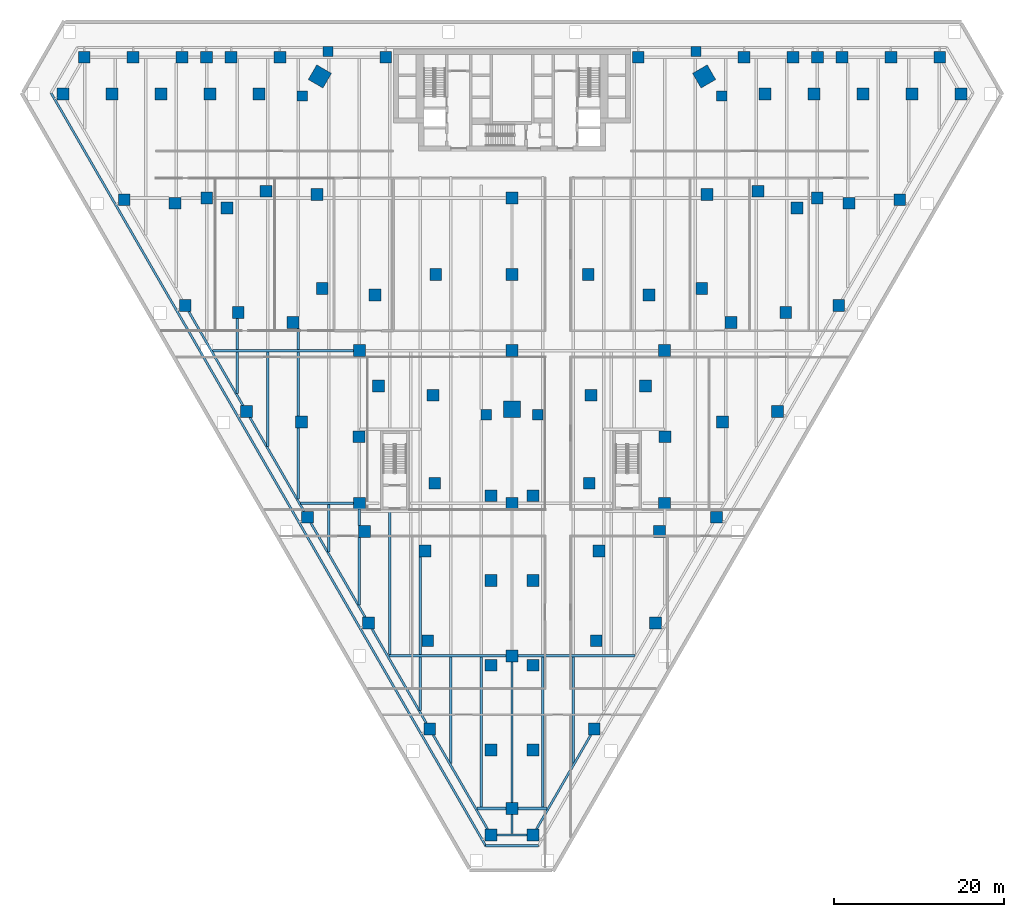
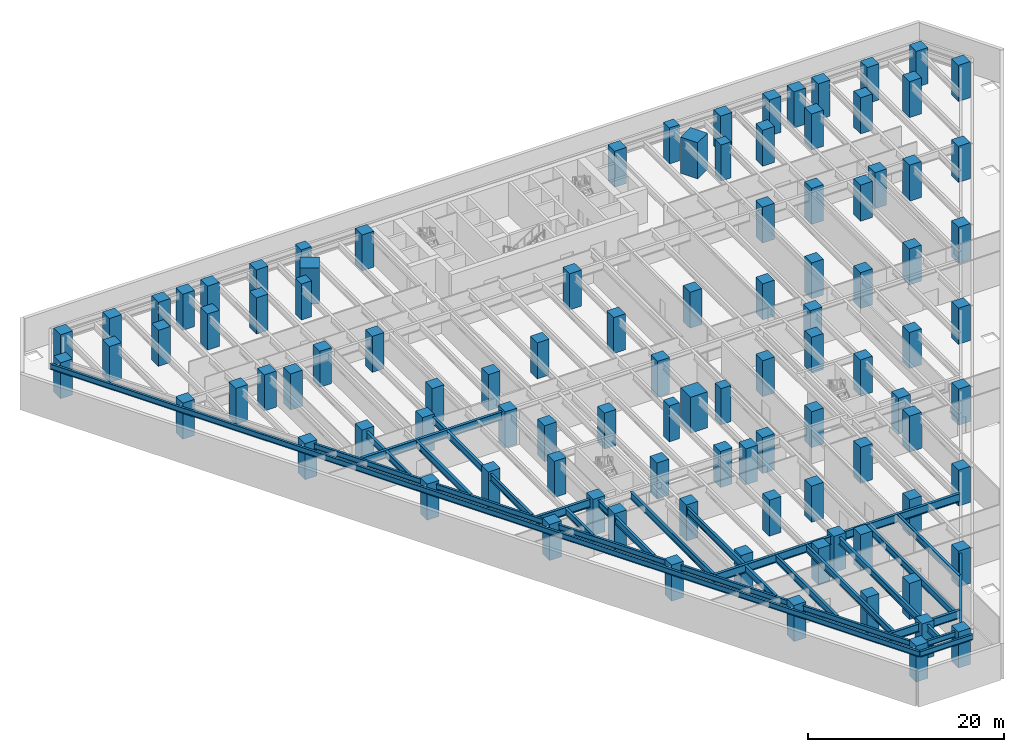
# One storey, part 1 of 20: 101 columns, 33 beams.
"""IFC4 building model written with IfcOpenShell, lengths in metres."""

from ifc_helpers import new_model, si_unit, direction, frame, origin, origin_2d, place, context, subcontext, project, spatial, rectangle, i_section, extrude, material, material_profile, profile_set, type_object, element, save


model = new_model("IFC4")

# Units and contexts
model_context = context("Model", 3, precision=1e-05, world=origin(), true_north=direction((0.0, 1.0)))
body_context = subcontext(model_context, "Body", "Model", "MODEL_VIEW")
ifc_project = project(units=[si_unit("LENGTHUNIT", "METRE"), si_unit("AREAUNIT", "SQUARE_METRE"), si_unit("VOLUMEUNIT", "CUBIC_METRE"), si_unit("PLANEANGLEUNIT", "RADIAN"), si_unit("MASSUNIT", "GRAM", prefix="KILO")], contexts=[model_context])

# Site, building, storey
site_placement = place(None, origin())
site = spatial("IfcSite", under=ifc_project, at=site_placement, CompositionType="ELEMENT")
building_placement = place(site_placement, origin())
building = spatial("IfcBuilding", under=site, at=building_placement, Name="Aloe Facet Convention Tower", CompositionType="ELEMENT")
storey_placement = place(building_placement, frame((0.0, 0.0, -4.5)))
storey = spatial("IfcBuildingStorey", under=building, at=storey_placement, Name="B1", CompositionType="ELEMENT", Elevation=-4.5)

# Columns
ifc_material_1 = material(Name="Concrete C60/75", Category="concrete")
ifc_material_profile_1 = material_profile(ifc_material_1, rectangle(XDim=1.39990234375, YDim=1.39990234375, at=origin_2d()), Name="SF-PC-1400")
ifc_profile_set_1 = profile_set([ifc_material_profile_1], Name="Concrete C60/75")
column_type_1 = type_object("IfcColumnType", Name="SF-PC-1400", PredefinedType="COLUMN", material=ifc_profile_set_1)
for number, where, z_axis, x_axis, name in (
    (1, (89.0, 108.0, 0.0), (0.0, 0.0, 1.0), (1.0, 0.0, 0.0), "Podium column PC-10D"),
    (2, (98.0, 99.0, 0.0), (0.0, 0.0, 1.0), (1.0, 0.0, 0.0), "Podium column PC-11E"),
    (3, (98.0, 81.0, 0.0), (0.0, 0.0, 1.0), (1.0, 0.0, 0.0), "Podium column PC-11G"),
    (4, (116.0, 117.0, 0.0), (0.0, 0.0, 1.0), (1.0, 0.0, 0.0), "Podium column PC-13C"),
    (5, (44.0, 117.0, 0.0), (0.0, 0.0, 1.0), (1.0, 0.0, 0.0), "Podium column PC-5C"),
    (6, (62.0, 99.0, 0.0), (0.0, 0.0, 1.0), (1.0, 0.0, 0.0), "Podium column PC-7E"),
    (7, (62.0, 81.0, 0.0), (0.0, 0.0, 1.0), (1.0, 0.0, 0.0), "Podium column PC-7G"),
    (8, (71.0, 108.0, 0.0), (0.0, 0.0, 1.0), (1.0, 0.0, 0.0), "Podium column PC-8D"),
    (9, (80.0, 117.0, 0.0), (0.0, 0.0, 1.0), (1.0, 0.0, 0.0), "Podium column PC-9C"),
    (10, (80.0, 108.0, 0.0), (0.0, 0.0, 1.0), (1.0, 0.0, 0.0), "Podium column PC-9D"),
    (11, (80.0, 99.0, 0.0), (0.0, 0.0, 1.0), (1.0, 0.0, 0.0), "Podium column PC-9E"),
    (12, (80.0, 81.0, 0.0), (0.0, 0.0, 1.0), (1.0, 0.0, 0.0), "Podium column PC-9G"),
    (13, (80.0, 63.0, 0.0), (0.0, 0.0, 1.0), (1.0, 0.0, 0.0), "Podium column PC-9J"),
    (14, (80.0, 45.0, 0.0), (0.0, 0.0, 1.0), (1.0, 0.0, 0.0), "Podium column PC-9L"),
    (15, (102.375, 106.324951171875, 0.0), (0.0, 0.0, 1.0), (1.0, 0.0, 0.0), "Podium column PE-102-106"),
    (16, (103.01611328125, 117.43505859375, 0.0), (0.0, 0.0, 1.0), (1.0, 0.0, 0.0), "Podium column PE-103-117"),
    (17, (104.116943359375, 79.343017578125, 0.0), (0.0, 0.0, 1.0), (1.0, 0.0, 0.0), "Podium column PE-104-79"),
    (18, (104.8349609375, 90.5849609375, 0.0), (0.0, 0.0, 1.0), (1.0, 0.0, 0.0), "Podium column PE-105-91"),
    (19, (105.839111328125, 102.324951171875, 0.0), (0.0, 0.0, 1.0), (1.0, 0.0, 0.0), "Podium column PE-106-102"),
    (20, (107.364990234375, 133.60009765625, 0.0), (0.0, 0.0, 1.0), (1.0, 0.0, 0.0), "Podium column PE-107-134"),
    (21, (109.0029296875, 117.804931640625, 0.0), (0.0, 0.0, 1.0), (1.0, 0.0, 0.0), "Podium column PE-109-118"),
    (22, (109.85693359375, 129.283935546875, 0.0), (0.0, 0.0, 1.0), (1.0, 0.0, 0.0), "Podium column PE-110-129"),
    (23, (111.325927734375, 91.827880859375, 0.0), (0.0, 0.0, 1.0), (1.0, 0.0, 0.0), "Podium column PE-111-92"),
    (24, (112.281982421875, 103.485107421875, 0.0), (0.0, 0.0, 1.0), (1.0, 0.0, 0.0), "Podium column PE-112-103"),
    (25, (113.138916015625, 133.60009765625, 0.0), (0.0, 0.0, 1.0), (1.0, 0.0, 0.0), "Podium column PE-113-134"),
    (26, (113.62109375, 115.804931640625, 0.0), (0.0, 0.0, 1.0), (1.0, 0.0, 0.0), "Podium column PE-114-116"),
    (27, (115.6298828125, 129.283935546875, 0.0), (0.0, 0.0, 1.0), (1.0, 0.0, 0.0), "Podium column PE-116-129"),
    (28, (116.0419921875, 133.60009765625, 0.0), (0.0, 0.0, 1.0), (1.0, 0.0, 0.0), "Podium column PE-116-134"),
    (29, (118.533935546875, 104.31298828125, 0.0), (0.0, 0.0, 1.0), (1.0, 0.0, 0.0), "Podium column PE-119-104"),
    (30, (118.912109375, 133.60009765625, 0.0), (0.0, 0.0, 1.0), (1.0, 0.0, 0.0), "Podium column PE-119-134"),
    (31, (119.72998046875, 116.385009765625, 0.0), (0.0, 0.0, 1.0), (1.0, 0.0, 0.0), "Podium column PE-120-116"),
    (32, (121.404052734375, 129.283935546875, 0.0), (0.0, 0.0, 1.0), (1.0, 0.0, 0.0), "Podium column PE-121-129"),
    (33, (124.68603515625, 133.60009765625, 0.0), (0.0, 0.0, 1.0), (1.0, 0.0, 0.0), "Podium column PE-125-134"),
    (34, (125.741943359375, 116.799072265625, 0.0), (0.0, 0.0, 1.0), (1.0, 0.0, 0.0), "Podium column PE-126-117"),
    (35, (127.177001953125, 129.283935546875, 0.0), (0.0, 0.0, 1.0), (1.0, 0.0, 0.0), "Podium column PE-127-129"),
    (36, (130.458984375, 133.60009765625, 0.0), (0.0, 0.0, 1.0), (1.0, 0.0, 0.0), "Podium column PE-130-134"),
    (37, (132.950927734375, 129.283935546875, 0.0), (0.0, 0.0, 1.0), (1.0, 0.0, 0.0), "Podium column PE-133-129"),
    (38, (27.049072265625, 129.283935546875, 0.0), (0.0, 0.0, 1.0), (1.0, 0.0, 0.0), "Podium column PE-27-129"),
    (39, (29.541015625, 133.60009765625, 0.0), (0.0, 0.0, 1.0), (1.0, 0.0, 0.0), "Podium column PE-30-134"),
    (40, (32.822998046875, 129.283935546875, 0.0), (0.0, 0.0, 1.0), (1.0, 0.0, 0.0), "Podium column PE-33-129"),
    (41, (34.258056640625, 116.799072265625, 0.0), (0.0, 0.0, 1.0), (1.0, 0.0, 0.0), "Podium column PE-34-117"),
    (42, (35.31396484375, 133.60009765625, 0.0), (0.0, 0.0, 1.0), (1.0, 0.0, 0.0), "Podium column PE-35-134"),
    (43, (38.595947265625, 129.283935546875, 0.0), (0.0, 0.0, 1.0), (1.0, 0.0, 0.0), "Podium column PE-39-129"),
    (44, (40.27001953125, 116.385009765625, 0.0), (0.0, 0.0, 1.0), (1.0, 0.0, 0.0), "Podium column PE-40-116"),
    (45, (41.466064453125, 104.31298828125, 0.0), (0.0, 0.0, 1.0), (1.0, 0.0, 0.0), "Podium column PE-41-104"),
    (46, (41.087890625, 133.60009765625, 0.0), (0.0, 0.0, 1.0), (1.0, 0.0, 0.0), "Podium column PE-41-134"),
    (47, (44.3701171875, 129.283935546875, 0.0), (0.0, 0.0, 1.0), (1.0, 0.0, 0.0), "Podium column PE-44-129"),
    (48, (43.9580078125, 133.60009765625, 0.0), (0.0, 0.0, 1.0), (1.0, 0.0, 0.0), "Podium column PE-44-134"),
    (49, (46.37890625, 115.804931640625, 0.0), (0.0, 0.0, 1.0), (1.0, 0.0, 0.0), "Podium column PE-46-116"),
    (50, (46.861083984375, 133.60009765625, 0.0), (0.0, 0.0, 1.0), (1.0, 0.0, 0.0), "Podium column PE-47-134"),
    (51, (47.718017578125, 103.485107421875, 0.0), (0.0, 0.0, 1.0), (1.0, 0.0, 0.0), "Podium column PE-48-103"),
    (52, (48.674072265625, 91.827880859375, 0.0), (0.0, 0.0, 1.0), (1.0, 0.0, 0.0), "Podium column PE-49-92"),
    (53, (50.14306640625, 129.283935546875, 0.0), (0.0, 0.0, 1.0), (1.0, 0.0, 0.0), "Podium column PE-50-129"),
    (54, (50.9970703125, 117.804931640625, 0.0), (0.0, 0.0, 1.0), (1.0, 0.0, 0.0), "Podium column PE-51-118"),
    (55, (52.635009765625, 133.60009765625, 0.0), (0.0, 0.0, 1.0), (1.0, 0.0, 0.0), "Podium column PE-53-134"),
    (56, (54.160888671875, 102.324951171875, 0.0), (0.0, 0.0, 1.0), (1.0, 0.0, 0.0), "Podium column PE-54-102"),
    (57, (55.1650390625, 90.5849609375, 0.0), (0.0, 0.0, 1.0), (1.0, 0.0, 0.0), "Podium column PE-55-91"),
    (58, (55.883056640625, 79.343017578125, 0.0), (0.0, 0.0, 1.0), (1.0, 0.0, 0.0), "Podium column PE-56-79"),
    (59, (56.98388671875, 117.43505859375, 0.0), (0.0, 0.0, 1.0), (1.0, 0.0, 0.0), "Podium column PE-57-117"),
    (60, (57.625, 106.324951171875, 0.0), (0.0, 0.0, 1.0), (1.0, 0.0, 0.0), "Podium column PE-58-106"),
    (61, (61.943115234375, 88.844970703125, 0.0), (0.0, 0.0, 1.0), (1.0, 0.0, 0.0), "Podium column PE-62-89"),
    (62, (63.091064453125, 66.85693359375, 0.0), (0.0, 0.0, 1.0), (1.0, 0.0, 0.0), "Podium column PE-63-67"),
    (63, (62.613037109375, 77.68603515625, 0.0), (0.0, 0.0, 1.0), (1.0, 0.0, 0.0), "Podium column PE-63-78"),
    (64, (63.825927734375, 105.5849609375, 0.0), (0.0, 0.0, 1.0), (1.0, 0.0, 0.0), "Podium column PE-64-106"),
    (65, (64.2529296875, 94.844970703125, 0.0), (0.0, 0.0, 1.0), (1.0, 0.0, 0.0), "Podium column PE-64-95"),
    (66, (65.10498046875, 133.60009765625, 0.0), (0.0, 0.0, 1.0), (1.0, 0.0, 0.0), "Podium column PE-65-134"),
    (67, (70.300048828125, 54.3720703125, 0.0), (0.0, 0.0, 1.0), (1.0, 0.0, 0.0), "Podium column PE-70-54"),
    (68, (70.06103515625, 64.785888671875, 0.0), (0.0, 0.0, 1.0), (1.0, 0.0, 0.0), "Podium column PE-70-65"),
    (69, (69.72607421875, 75.365966796875, 0.0), (0.0, 0.0, 1.0), (1.0, 0.0, 0.0), "Podium column PE-70-75"),
    (70, (70.881103515625, 83.365966796875, 0.0), (0.0, 0.0, 1.0), (1.0, 0.0, 0.0), "Podium column PE-71-83"),
    (71, (70.6669921875, 93.736083984375, 0.0), (0.0, 0.0, 1.0), (1.0, 0.0, 0.0), "Podium column PE-71-94"),
    (72, (77.508056640625, 41.885986328125, 0.0), (0.0, 0.0, 1.0), (1.0, 0.0, 0.0), "Podium column PE-78-42"),
    (73, (77.508056640625, 51.885986328125, 0.0), (0.0, 0.0, 1.0), (1.0, 0.0, 0.0), "Podium column PE-78-52"),
    (74, (77.508056640625, 61.885986328125, 0.0), (0.0, 0.0, 1.0), (1.0, 0.0, 0.0), "Podium column PE-78-62"),
    (75, (77.508056640625, 71.885986328125, 0.0), (0.0, 0.0, 1.0), (1.0, 0.0, 0.0), "Podium column PE-78-72"),
    (76, (77.508056640625, 81.885986328125, 0.0), (0.0, 0.0, 1.0), (1.0, 0.0, 0.0), "Podium column PE-78-82"),
    (77, (82.491943359375, 41.885986328125, 0.0), (0.0, 0.0, 1.0), (1.0, 0.0, 0.0), "Podium column PE-82-42"),
    (78, (82.491943359375, 51.885986328125, 0.0), (0.0, 0.0, 1.0), (1.0, 0.0, 0.0), "Podium column PE-82-52"),
    (79, (82.491943359375, 61.885986328125, 0.0), (0.0, 0.0, 1.0), (1.0, 0.0, 0.0), "Podium column PE-82-62"),
    (80, (82.491943359375, 71.885986328125, 0.0), (0.0, 0.0, 1.0), (1.0, 0.0, 0.0), "Podium column PE-82-72"),
    (81, (82.491943359375, 81.885986328125, 0.0), (0.0, 0.0, 1.0), (1.0, 0.0, 0.0), "Podium column PE-82-82"),
    (82, (89.118896484375, 83.365966796875, 0.0), (0.0, 0.0, 1.0), (1.0, 0.0, 0.0), "Podium column PE-89-83"),
    (83, (89.3330078125, 93.736083984375, 0.0), (0.0, 0.0, 1.0), (1.0, 0.0, 0.0), "Podium column PE-89-94"),
    (84, (89.699951171875, 54.3720703125, 0.0), (0.0, 0.0, 1.0), (1.0, 0.0, 0.0), "Podium column PE-90-54"),
    (85, (89.93896484375, 64.785888671875, 0.0), (0.0, 0.0, 1.0), (1.0, 0.0, 0.0), "Podium column PE-90-65"),
    (86, (90.27392578125, 75.365966796875, 0.0), (0.0, 0.0, 1.0), (1.0, 0.0, 0.0), "Podium column PE-90-75"),
    (87, (94.89501953125, 133.60009765625, 0.0), (0.0, 0.0, 1.0), (1.0, 0.0, 0.0), "Podium column PE-95-134"),
    (88, (96.174072265625, 105.5849609375, 0.0), (0.0, 0.0, 1.0), (1.0, 0.0, 0.0), "Podium column PE-96-106"),
    (89, (95.7470703125, 94.844970703125, 0.0), (0.0, 0.0, 1.0), (1.0, 0.0, 0.0), "Podium column PE-96-95"),
    (90, (96.908935546875, 66.85693359375, 0.0), (0.0, 0.0, 1.0), (1.0, 0.0, 0.0), "Podium column PE-97-67"),
    (91, (97.386962890625, 77.68603515625, 0.0), (0.0, 0.0, 1.0), (1.0, 0.0, 0.0), "Podium column PE-97-78"),
    (92, (98.056884765625, 88.844970703125, 0.0), (0.0, 0.0, 1.0), (1.0, 0.0, 0.0), "Podium column PE-98-89"),
):
    element("IfcColumn", number, at=place(storey_placement, frame(where, z_axis=z_axis, x_axis=x_axis)), inside=storey, type_object=column_type_1, Name=name, PredefinedType="COLUMN", context=body_context, shape_type="SweptSolid", body=[
        extrude(rectangle(XDim=1.39990234375, YDim=1.39990234375, at=origin_2d()), origin(), (0.0, 0.0, 1.0), 4.5),
    ])
ifc_material_2 = material(Name="Concrete C60/75", Category="concrete")
ifc_material_profile_2 = material_profile(ifc_material_2, rectangle(XDim=1.199951171875, YDim=1.199951171875, at=origin_2d()), Name="SF-PR-1200")
ifc_profile_set_2 = profile_set([ifc_material_profile_2], Name="Concrete C60/75")
column_type_2 = type_object("IfcColumnType", Name="SF-PR-1200", PredefinedType="COLUMN", material=ifc_profile_set_2)
for number, where, z_axis, x_axis, name in (
    (93, (55.256103515625, 129.028076171875, 0.0), (0.0, 0.0, 1.0), (1.0, 0.0, 0.0), "Podium column PR-01-55-129"),
    (94, (58.300048828125, 134.300048828125, 0.0), (0.0, 0.0, 1.0), (1.0, 0.0, 0.0), "Podium column PR-02-58-134"),
    (95, (76.956298828125, 91.4423828125, 0.0), (0.0, 0.0, 1.0), (1.0, 0.0, 0.0), "Podium column PR-03-77-91"),
    (96, (83.043701171875, 91.4423828125, 0.0), (0.0, 0.0, 1.0), (1.0, 0.0, 0.0), "Podium column PR-04-83-91"),
    (97, (101.699951171875, 134.300048828125, 0.0), (0.0, 0.0, 1.0), (1.0, 0.0, 0.0), "Podium column PR-05-102-134"),
    (98, (104.743896484375, 129.028076171875, 0.0), (0.0, 0.0, 1.0), (1.0, 0.0, 0.0), "Podium column PR-06-105-129"),
):
    element("IfcColumn", number, at=place(storey_placement, frame(where, z_axis=z_axis, x_axis=x_axis)), inside=storey, type_object=column_type_2, Name=name, PredefinedType="COLUMN", context=body_context, shape_type="SweptSolid", body=[
        extrude(rectangle(XDim=1.199951171875, YDim=1.199951171875, at=origin_2d()), origin(), (0.0, 0.0, 1.0), 4.5),
    ])
ifc_material_3 = material(Name="Concrete C80/95", Category="concrete")
ifc_material_profile_3 = material_profile(ifc_material_3, rectangle(XDim=2.0, YDim=2.0, at=origin_2d()), Name="STW-MC-Z1")
ifc_profile_set_3 = profile_set([ifc_material_profile_3], Name="Concrete C80/95")
column_type_3 = type_object("IfcColumnType", Name="STW-MC-Z1", PredefinedType="COLUMN", material=ifc_profile_set_3)
for number, where, z_axis, x_axis, name in (
    (99, (102.664306640625, 131.342041015625, 0.0), (0.0, 0.0, 1.0), (-0.5, 0.866025403784, 0.0), "Mega-column MC-NE-B1"),
    (100, (57.335693359375, 131.342041015625, 0.0), (0.0, 0.0, 1.0), (-0.5, -0.866025403784, 0.0), "Mega-column MC-NW-B1"),
    (101, (80.0, 92.086181640625, 0.0), (0.0, 0.0, 1.0), (1.0, 0.0, 0.0), "Mega-column MC-S-B1"),
):
    element("IfcColumn", number, at=place(storey_placement, frame(where, z_axis=z_axis, x_axis=x_axis)), inside=storey, type_object=column_type_3, Name=name, PredefinedType="COLUMN", context=body_context, shape_type="SweptSolid", body=[
        extrude(rectangle(XDim=2.0, YDim=2.0, at=origin_2d()), origin(), (0.0, 0.0, 1.0), 4.5),
    ])

# Beams
ifc_material_4 = material(Name="Steel S355", Category="steel")
ifc_material_profile_4 = material_profile(ifc_material_4, i_section(OverallWidth=0.25439453125, OverallDepth=0.6875, WebThickness=0.01318359375, FlangeThickness=0.02099609375, FilletRadius=0.01513671875, at=origin_2d()), Name="UB 686x254x152")
ifc_profile_set_4 = profile_set([ifc_material_profile_4], Name="Steel S355")
beam_type_1 = type_object("IfcBeamType", Name="EV-EB-UB686x254x152", PredefinedType="BEAM", material=ifc_profile_set_4)
beam_1_placement = place(storey_placement, frame((25.627197265625, 129.396728515625, 3.856201171875), z_axis=(0.500002624191, -0.866023888702, 0.0), x_axis=(0.866023888702, 0.500002624191, 0.0)))
element("IfcBeam", 102, at=beam_1_placement, inside=storey, type_object=beam_type_1, Name="EB-L00-W", PredefinedType="BEAM", context=body_context, shape_type="SweptSolid", body=[
    extrude(i_section(OverallWidth=0.25439453125, OverallDepth=0.6875, WebThickness=0.01318359375, FlangeThickness=0.02099609375, FilletRadius=0.01513671875, at=origin_2d()), origin(), (0.0, 0.0, 1.0), 102.53515625),
])
beam_2_placement = place(storey_placement, frame((76.89501953125, 40.598876953125, 3.856201171875), z_axis=(1.0, 0.0, 0.0), x_axis=(0.0, 1.0, 0.0)))
element("IfcBeam", 103, at=beam_2_placement, inside=storey, type_object=beam_type_1, Name="EB-L00-B", PredefinedType="BEAM", context=body_context, shape_type="SweptSolid", body=[
    extrude(i_section(OverallWidth=0.25439453125, OverallDepth=0.6875, WebThickness=0.01318359375, FlangeThickness=0.02099609375, FilletRadius=0.01513671875, at=origin_2d()), origin(), (0.0, 0.0, 1.0), 6.2099609375),
])
ifc_material_5 = material(Name="Steel S355", Category="steel")
ifc_material_profile_5 = material_profile(ifc_material_5, i_section(OverallWidth=0.305419921875, OverallDepth=1.02587890625, WebThickness=0.02001953125, FlangeThickness=0.031005859375, FilletRadius=0.030029296875, at=origin_2d()), Name="UB 1016x305x349")
ifc_profile_set_5 = profile_set([ifc_material_profile_5], Name="Steel S355")
beam_type_2 = type_object("IfcBeamType", Name="SF-B-UB1016x305x349", PredefinedType="BEAM", material=ifc_profile_set_5)
beam_3_placement = place(storey_placement, frame((44.690673828125, 99.0, 3.68701171875), z_axis=(1.0, 0.0, 0.0), x_axis=(0.0, 1.0, 0.0)))
element("IfcBeam", 104, at=beam_3_placement, inside=storey, type_object=beam_type_2, Name="Floor beam FB-L00-032", PredefinedType="BEAM", context=body_context, shape_type="SweptSolid", body=[
    extrude(i_section(OverallWidth=0.305419921875, OverallDepth=1.02587890625, WebThickness=0.02001953125, FlangeThickness=0.031005859375, FilletRadius=0.030029296875, at=origin_2d()), origin(), (0.0, 0.0, 1.0), 16.609375),
])
beam_4_placement = place(storey_placement, frame((55.0830078125, 81.0, 3.68701171875), z_axis=(1.0, 0.0, 0.0), x_axis=(0.0, 1.0, 0.0)))
element("IfcBeam", 105, at=beam_4_placement, inside=storey, type_object=beam_type_2, Name="Floor beam FB-L00-034", PredefinedType="BEAM", context=body_context, shape_type="SweptSolid", body=[
    extrude(i_section(OverallWidth=0.305419921875, OverallDepth=1.02587890625, WebThickness=0.02001953125, FlangeThickness=0.031005859375, FilletRadius=0.030029296875, at=origin_2d()), origin(), (0.0, 0.0, 1.0), 6.217041015625),
])
beam_5_placement = place(storey_placement, frame((65.47509765625, 63.0, 3.68701171875), z_axis=(1.0, 0.0, 0.0), x_axis=(0.0, 1.0, 0.0)))
element("IfcBeam", 106, at=beam_5_placement, inside=storey, type_object=beam_type_2, Name="Floor beam FB-L00-038", PredefinedType="BEAM", context=body_context, shape_type="SweptSolid", body=[
    extrude(i_section(OverallWidth=0.305419921875, OverallDepth=1.02587890625, WebThickness=0.02001953125, FlangeThickness=0.031005859375, FilletRadius=0.030029296875, at=origin_2d()), origin(), (0.0, 0.0, 1.0), 13.824951171875),
])
for number, where, z_axis, x_axis, name in (
    (107, (75.867431640625, 45.0, 3.68701171875), (1.0, 0.0, 0.0), (0.0, 1.0, 0.0), "Floor beam FB-L00-040"),
    (108, (80.699951171875, 45.0, 3.68701171875), (1.0, 0.0, 0.0), (0.0, 1.0, 0.0), "Floor beam FB-L00-041"),
):
    element("IfcBeam", number, at=place(storey_placement, frame(where, z_axis=z_axis, x_axis=x_axis)), inside=storey, type_object=beam_type_2, Name=name, PredefinedType="BEAM", context=body_context, shape_type="SweptSolid", body=[
        extrude(i_section(OverallWidth=0.305419921875, OverallDepth=1.02587890625, WebThickness=0.02001953125, FlangeThickness=0.031005859375, FilletRadius=0.030029296875, at=origin_2d()), origin(), (0.0, 0.0, 1.0), 3.4326171875),
    ])
beam_6_placement = place(storey_placement, frame((80.699951171875, 63.0, 3.68701171875), z_axis=(1.0, 0.0, 0.0), x_axis=(0.0, 1.0, 0.0)))
element("IfcBeam", 109, at=beam_6_placement, inside=storey, type_object=beam_type_2, Name="Floor beam FB-L00-042", PredefinedType="BEAM", context=body_context, shape_type="SweptSolid", body=[
    extrude(i_section(OverallWidth=0.305419921875, OverallDepth=1.02587890625, WebThickness=0.02001953125, FlangeThickness=0.031005859375, FilletRadius=0.030029296875, at=origin_2d()), origin(), (0.0, 0.0, 1.0), 13.824951171875),
])
ifc_material_6 = material(Name="Steel S355", Category="steel")
ifc_material_profile_6 = material_profile(ifc_material_6, i_section(OverallWidth=0.25439453125, OverallDepth=0.6875, WebThickness=0.01318359375, FlangeThickness=0.02099609375, FilletRadius=0.01513671875, at=origin_2d()), Name="UB 686x254x152")
ifc_profile_set_6 = profile_set([ifc_material_profile_6], Name="Steel S355")
beam_type_3 = type_object("IfcBeamType", Name="SF-B-UB686x254x152", PredefinedType="BEAM", material=ifc_profile_set_6)
for number, where, z_axis, x_axis, name in (
    (110, (48.270263671875, 92.528076171875, 3.856201171875), (-0.499999833739, 0.866025499775, 0.0), (-0.866025499775, -0.499999833739, 0.0), "Floor beam FB-L00-009"),
    (111, (55.478515625, 80.04296875, 3.856201171875), (-0.499999833739, 0.866025499775, 0.0), (-0.866025499775, -0.499999833739, 0.0), "Floor beam FB-L00-011"),
):
    element("IfcBeam", number, at=place(storey_placement, frame(where, z_axis=z_axis, x_axis=x_axis)), inside=storey, type_object=beam_type_3, Name=name, PredefinedType="BEAM", context=body_context, shape_type="SweptSolid", body=[
        extrude(i_section(OverallWidth=0.25439453125, OverallDepth=0.6875, WebThickness=0.01318359375, FlangeThickness=0.02099609375, FilletRadius=0.01513671875, at=origin_2d()), origin(), (0.0, 0.0, 1.0), 12.7998046875),
    ])
beam_7_placement = place(storey_placement, frame((62.687255859375, 67.556884765625, 3.856201171875), z_axis=(-0.499987149722, 0.866032822769, 0.0), x_axis=(-0.866032822769, -0.499987149722, 0.0)))
element("IfcBeam", 112, at=beam_7_placement, inside=storey, type_object=beam_type_3, Name="Floor beam FB-L00-012", PredefinedType="BEAM", context=body_context, shape_type="SweptSolid", body=[
    extrude(i_section(OverallWidth=0.25439453125, OverallDepth=0.6875, WebThickness=0.01318359375, FlangeThickness=0.02099609375, FilletRadius=0.01513671875, at=origin_2d()), origin(), (0.0, 0.0, 1.0), 12.801025390625),
])
beam_8_placement = place(storey_placement, frame((69.8955078125, 55.072021484375, 3.856201171875), z_axis=(-0.499999833739, 0.866025499775, 0.0), x_axis=(-0.866025499775, -0.499999833739, 0.0)))
element("IfcBeam", 113, at=beam_8_placement, inside=storey, type_object=beam_type_3, Name="Floor beam FB-L00-013", PredefinedType="BEAM", context=body_context, shape_type="SweptSolid", body=[
    extrude(i_section(OverallWidth=0.25439453125, OverallDepth=0.6875, WebThickness=0.01318359375, FlangeThickness=0.02099609375, FilletRadius=0.01513671875, at=origin_2d()), origin(), (0.0, 0.0, 1.0), 12.7998046875),
])
beam_9_placement = place(storey_placement, frame((77.104248046875, 42.5859375, 3.856201171875), z_axis=(-0.499987149722, 0.866032822769, 0.0), x_axis=(-0.866032822769, -0.499987149722, 0.0)))
element("IfcBeam", 114, at=beam_9_placement, inside=storey, type_object=beam_type_3, Name="Floor beam FB-L00-014", PredefinedType="BEAM", context=body_context, shape_type="SweptSolid", body=[
    extrude(i_section(OverallWidth=0.25439453125, OverallDepth=0.6875, WebThickness=0.01318359375, FlangeThickness=0.02099609375, FilletRadius=0.01513671875, at=origin_2d()), origin(), (0.0, 0.0, 1.0), 12.801025390625),
])
beam_10_placement = place(storey_placement, frame((81.7919921875, 41.88623046875, 3.856201171875), z_axis=(-1.0, 0.0, 0.0), x_axis=(0.0, -1.0, 0.0)))
element("IfcBeam", 115, at=beam_10_placement, inside=storey, type_object=beam_type_3, Name="Floor beam FB-L00-015", PredefinedType="BEAM", context=body_context, shape_type="SweptSolid", body=[
    extrude(i_section(OverallWidth=0.25439453125, OverallDepth=0.6875, WebThickness=0.01318359375, FlangeThickness=0.02099609375, FilletRadius=0.01513671875, at=origin_2d()), origin(), (0.0, 0.0, 1.0), 3.583984375),
])
beam_11_placement = place(storey_placement, frame((89.296142578125, 53.672119140625, 3.856201171875), z_axis=(-0.499987149722, -0.866032822769, 0.0), x_axis=(0.866032822769, -0.499987149722, 0.0)))
element("IfcBeam", 116, at=beam_11_placement, inside=storey, type_object=beam_type_3, Name="Floor beam FB-L00-016", PredefinedType="BEAM", context=body_context, shape_type="SweptSolid", body=[
    extrude(i_section(OverallWidth=0.25439453125, OverallDepth=0.6875, WebThickness=0.01318359375, FlangeThickness=0.02099609375, FilletRadius=0.01513671875, at=origin_2d()), origin(), (0.0, 0.0, 1.0), 12.801025390625),
])
ifc_material_7 = material(Name="Steel S355", Category="steel")
ifc_material_profile_7 = material_profile(ifc_material_7, i_section(OverallWidth=0.293701171875, OverallDepth=0.850830078125, WebThickness=0.01611328125, FlangeThickness=0.02685546875, FilletRadius=0.017822265625, at=origin_2d()), Name="UB 838x292x226")
ifc_profile_set_7 = profile_set([ifc_material_profile_7], Name="Steel S355")
beam_type_4 = type_object("IfcBeamType", Name="SF-B-UB838x292x226", PredefinedType="BEAM", material=ifc_profile_set_7)
beam_12_placement = place(storey_placement, frame((47.60009765625, 93.95361328125, 3.774658203125), z_axis=(0.0, 1.0, 0.0), x_axis=(-1.0, 0.0, 0.0)))
element("IfcBeam", 117, at=beam_12_placement, inside=storey, type_object=beam_type_4, Name="Floor beam FB-L00-062", PredefinedType="BEAM", context=body_context, shape_type="SweptSolid", body=[
    extrude(i_section(OverallWidth=0.293701171875, OverallDepth=0.850830078125, WebThickness=0.01611328125, FlangeThickness=0.02685546875, FilletRadius=0.017822265625, at=origin_2d()), origin(), (0.0, 0.0, 1.0), 4.893798828125),
])
beam_13_placement = place(storey_placement, frame((47.60009765625, 99.152587890625, 3.774658203125), z_axis=(0.0, 1.0, 0.0), x_axis=(-1.0, 0.0, 0.0)))
element("IfcBeam", 118, at=beam_13_placement, inside=storey, type_object=beam_type_4, Name="Floor beam FB-L00-063", PredefinedType="BEAM", context=body_context, shape_type="SweptSolid", body=[
    extrude(i_section(OverallWidth=0.293701171875, OverallDepth=0.850830078125, WebThickness=0.01611328125, FlangeThickness=0.02685546875, FilletRadius=0.017822265625, at=origin_2d()), origin(), (0.0, 0.0, 1.0), 3.63232421875),
])
beam_14_placement = place(storey_placement, frame((51.199951171875, 87.718017578125, 3.774658203125), z_axis=(0.0, 1.0, 0.0), x_axis=(-1.0, 0.0, 0.0)))
element("IfcBeam", 119, at=beam_14_placement, inside=storey, type_object=beam_type_4, Name="Floor beam FB-L00-066", PredefinedType="BEAM", context=body_context, shape_type="SweptSolid", body=[
    extrude(i_section(OverallWidth=0.293701171875, OverallDepth=0.850830078125, WebThickness=0.01611328125, FlangeThickness=0.02685546875, FilletRadius=0.017822265625, at=origin_2d()), origin(), (0.0, 0.0, 1.0), 11.12939453125),
])
beam_15_placement = place(storey_placement, frame((54.800048828125, 81.482666015625, 3.774658203125), z_axis=(0.0, 1.0, 0.0), x_axis=(-1.0, 0.0, 0.0)))
element("IfcBeam", 120, at=beam_15_placement, inside=storey, type_object=beam_type_4, Name="Floor beam FB-L00-069", PredefinedType="BEAM", context=body_context, shape_type="SweptSolid", body=[
    extrude(i_section(OverallWidth=0.293701171875, OverallDepth=0.850830078125, WebThickness=0.01611328125, FlangeThickness=0.02685546875, FilletRadius=0.017822265625, at=origin_2d()), origin(), (0.0, 0.0, 1.0), 8.40234375),
])
beam_16_placement = place(storey_placement, frame((54.800048828125, 91.284912109375, 3.774658203125), z_axis=(0.0, 1.0, 0.0), x_axis=(-1.0, 0.0, 0.0)))
element("IfcBeam", 121, at=beam_16_placement, inside=storey, type_object=beam_type_4, Name="Floor beam FB-L00-070", PredefinedType="BEAM", context=body_context, shape_type="SweptSolid", body=[
    extrude(i_section(OverallWidth=0.293701171875, OverallDepth=0.850830078125, WebThickness=0.01611328125, FlangeThickness=0.02685546875, FilletRadius=0.017822265625, at=origin_2d()), origin(), (0.0, 0.0, 1.0), 7.5625),
])
beam_17_placement = place(storey_placement, frame((54.800048828125, 99.152587890625, 3.774658203125), z_axis=(0.0, 1.0, 0.0), x_axis=(-1.0, 0.0, 0.0)))
element("IfcBeam", 122, at=beam_17_placement, inside=storey, type_object=beam_type_4, Name="Floor beam FB-L00-071", PredefinedType="BEAM", context=body_context, shape_type="SweptSolid", body=[
    extrude(i_section(OverallWidth=0.293701171875, OverallDepth=0.850830078125, WebThickness=0.01611328125, FlangeThickness=0.02685546875, FilletRadius=0.017822265625, at=origin_2d()), origin(), (0.0, 0.0, 1.0), 2.472412109375),
])
beam_18_placement = place(storey_placement, frame((58.39990234375, 75.247314453125, 3.774658203125), z_axis=(0.0, 1.0, 0.0), x_axis=(-1.0, 0.0, 0.0)))
element("IfcBeam", 123, at=beam_18_placement, inside=storey, type_object=beam_type_4, Name="Floor beam FB-L00-075", PredefinedType="BEAM", context=body_context, shape_type="SweptSolid", body=[
    extrude(i_section(OverallWidth=0.293701171875, OverallDepth=0.850830078125, WebThickness=0.01611328125, FlangeThickness=0.02685546875, FilletRadius=0.017822265625, at=origin_2d()), origin(), (0.0, 0.0, 1.0), 5.60009765625),
])
beam_19_placement = place(storey_placement, frame((62.0, 69.011962890625, 3.774658203125), z_axis=(0.0, 1.0, 0.0), x_axis=(-1.0, 0.0, 0.0)))
element("IfcBeam", 124, at=beam_19_placement, inside=storey, type_object=beam_type_4, Name="Floor beam FB-L00-079", PredefinedType="BEAM", context=body_context, shape_type="SweptSolid", body=[
    extrude(i_section(OverallWidth=0.293701171875, OverallDepth=0.850830078125, WebThickness=0.01611328125, FlangeThickness=0.02685546875, FilletRadius=0.017822265625, at=origin_2d()), origin(), (0.0, 0.0, 1.0), 7.97412109375),
])
beam_20_placement = place(storey_placement, frame((62.0, 78.385986328125, 3.774658203125), z_axis=(0.0, 1.0, 0.0), x_axis=(-1.0, 0.0, 0.0)))
element("IfcBeam", 125, at=beam_20_placement, inside=storey, type_object=beam_type_4, Name="Floor beam FB-L00-080", PredefinedType="BEAM", context=body_context, shape_type="SweptSolid", body=[
    extrude(i_section(OverallWidth=0.293701171875, OverallDepth=0.850830078125, WebThickness=0.01611328125, FlangeThickness=0.02685546875, FilletRadius=0.017822265625, at=origin_2d()), origin(), (0.0, 0.0, 1.0), 1.9140625),
])
beam_21_placement = place(storey_placement, frame((65.60009765625, 63.152587890625, 3.774658203125), z_axis=(0.0, 1.0, 0.0), x_axis=(-1.0, 0.0, 0.0)))
element("IfcBeam", 126, at=beam_21_placement, inside=storey, type_object=beam_type_4, Name="Floor beam FB-L00-087", PredefinedType="BEAM", context=body_context, shape_type="SweptSolid", body=[
    extrude(i_section(OverallWidth=0.293701171875, OverallDepth=0.850830078125, WebThickness=0.01611328125, FlangeThickness=0.02685546875, FilletRadius=0.017822265625, at=origin_2d()), origin(), (0.0, 0.0, 1.0), 16.8974609375),
])
beam_22_placement = place(storey_placement, frame((69.199951171875, 56.541259765625, 3.774658203125), z_axis=(0.0, 1.0, 0.0), x_axis=(-1.0, 0.0, 0.0)))
element("IfcBeam", 127, at=beam_22_placement, inside=storey, type_object=beam_type_4, Name="Floor beam FB-L00-092", PredefinedType="BEAM", context=body_context, shape_type="SweptSolid", body=[
    extrude(i_section(OverallWidth=0.293701171875, OverallDepth=0.850830078125, WebThickness=0.01611328125, FlangeThickness=0.02685546875, FilletRadius=0.017822265625, at=origin_2d()), origin(), (0.0, 0.0, 1.0), 6.30615234375),
])
beam_23_placement = place(storey_placement, frame((69.199951171875, 63.152587890625, 3.774658203125), z_axis=(0.0, 1.0, 0.0), x_axis=(-1.0, 0.0, 0.0)))
element("IfcBeam", 128, at=beam_23_placement, inside=storey, type_object=beam_type_4, Name="Floor beam FB-L00-093", PredefinedType="BEAM", context=body_context, shape_type="SweptSolid", body=[
    extrude(i_section(OverallWidth=0.293701171875, OverallDepth=0.850830078125, WebThickness=0.01611328125, FlangeThickness=0.02685546875, FilletRadius=0.017822265625, at=origin_2d()), origin(), (0.0, 0.0, 1.0), 11.513427734375),
])
beam_24_placement = place(storey_placement, frame((72.800048828125, 50.305908203125, 3.774658203125), z_axis=(0.0, 1.0, 0.0), x_axis=(-1.0, 0.0, 0.0)))
element("IfcBeam", 129, at=beam_24_placement, inside=storey, type_object=beam_type_4, Name="Floor beam FB-L00-098", PredefinedType="BEAM", context=body_context, shape_type="SweptSolid", body=[
    extrude(i_section(OverallWidth=0.293701171875, OverallDepth=0.850830078125, WebThickness=0.01611328125, FlangeThickness=0.02685546875, FilletRadius=0.017822265625, at=origin_2d()), origin(), (0.0, 0.0, 1.0), 12.54150390625),
])
beam_25_placement = place(storey_placement, frame((76.39990234375, 45.152587890625, 3.774658203125), z_axis=(0.0, 1.0, 0.0), x_axis=(-1.0, 0.0, 0.0)))
element("IfcBeam", 130, at=beam_25_placement, inside=storey, type_object=beam_type_4, Name="Floor beam FB-L00-103", PredefinedType="BEAM", context=body_context, shape_type="SweptSolid", body=[
    extrude(i_section(OverallWidth=0.293701171875, OverallDepth=0.850830078125, WebThickness=0.01611328125, FlangeThickness=0.02685546875, FilletRadius=0.017822265625, at=origin_2d()), origin(), (0.0, 0.0, 1.0), 17.69482421875),
])
beam_26_placement = place(storey_placement, frame((80.0, 42.0234375, 3.774658203125), z_axis=(0.0, 1.0, 0.0), x_axis=(-1.0, 0.0, 0.0)))
element("IfcBeam", 131, at=beam_26_placement, inside=storey, type_object=beam_type_4, Name="Floor beam FB-L00-109", PredefinedType="BEAM", context=body_context, shape_type="SweptSolid", body=[
    extrude(i_section(OverallWidth=0.293701171875, OverallDepth=0.850830078125, WebThickness=0.01611328125, FlangeThickness=0.02685546875, FilletRadius=0.017822265625, at=origin_2d()), origin(), (0.0, 0.0, 1.0), 2.276611328125),
])
beam_27_placement = place(storey_placement, frame((80.0, 45.699951171875, 3.774658203125), z_axis=(0.0, 1.0, 0.0), x_axis=(-1.0, 0.0, 0.0)))
element("IfcBeam", 132, at=beam_27_placement, inside=storey, type_object=beam_type_4, Name="Floor beam FB-L00-110", PredefinedType="BEAM", context=body_context, shape_type="SweptSolid", body=[
    extrude(i_section(OverallWidth=0.293701171875, OverallDepth=0.850830078125, WebThickness=0.01611328125, FlangeThickness=0.02685546875, FilletRadius=0.017822265625, at=origin_2d()), origin(), (0.0, 0.0, 1.0), 16.60009765625),
])
beam_28_placement = place(storey_placement, frame((83.60009765625, 45.152587890625, 3.774658203125), z_axis=(0.0, 1.0, 0.0), x_axis=(-1.0, 0.0, 0.0)))
element("IfcBeam", 133, at=beam_28_placement, inside=storey, type_object=beam_type_4, Name="Floor beam FB-L00-115", PredefinedType="BEAM", context=body_context, shape_type="SweptSolid", body=[
    extrude(i_section(OverallWidth=0.293701171875, OverallDepth=0.850830078125, WebThickness=0.01611328125, FlangeThickness=0.02685546875, FilletRadius=0.017822265625, at=origin_2d()), origin(), (0.0, 0.0, 1.0), 17.69482421875),
])
beam_29_placement = place(storey_placement, frame((87.199951171875, 50.305908203125, 3.774658203125), z_axis=(0.0, 1.0, 0.0), x_axis=(-1.0, 0.0, 0.0)))
element("IfcBeam", 134, at=beam_29_placement, inside=storey, type_object=beam_type_4, Name="Floor beam FB-L00-121", PredefinedType="BEAM", context=body_context, shape_type="SweptSolid", body=[
    extrude(i_section(OverallWidth=0.293701171875, OverallDepth=0.850830078125, WebThickness=0.01611328125, FlangeThickness=0.02685546875, FilletRadius=0.017822265625, at=origin_2d()), origin(), (0.0, 0.0, 1.0), 12.54150390625),
])

save(model, "model.ifc")
